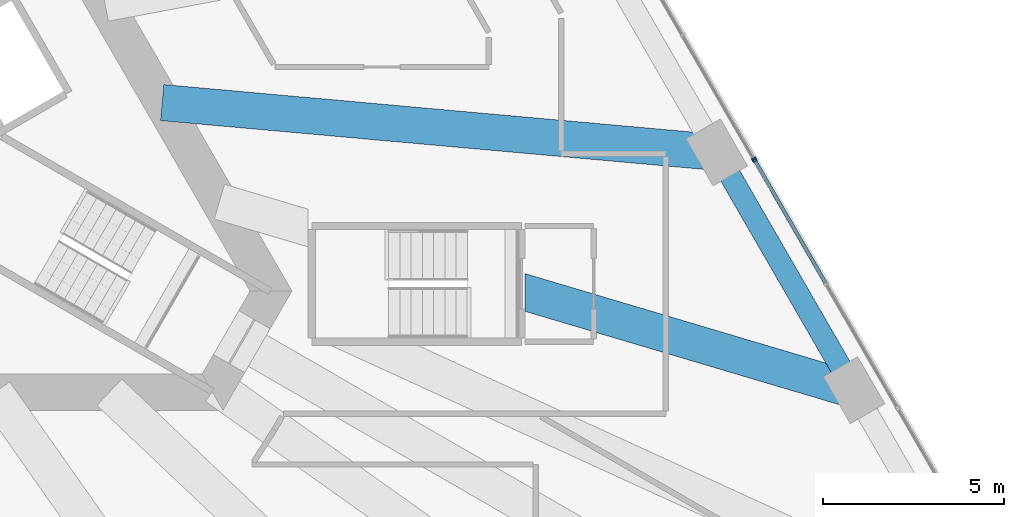
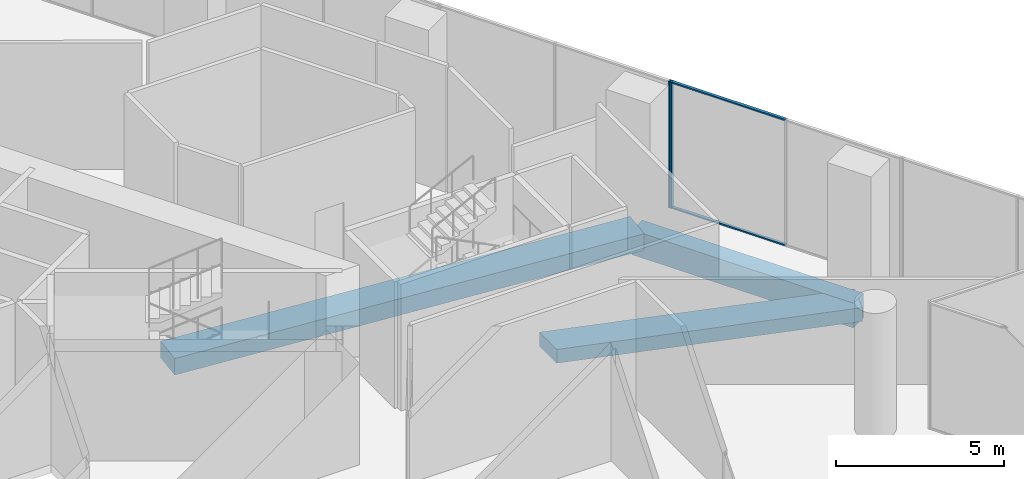
# One storey, part 11 of 32: 4 members, 3 beams, 2 elements without a shape of their own.
"""IFC4 building model written with IfcOpenShell, lengths in metres."""

from ifc_helpers import new_model, si_unit, direction, frame, origin, origin_2d, place, context, subcontext, project, spatial, rectangle, extrude, clip, halfspace, material, layer, layer_set, material_profile, profile_set, type_object, element, aggregate, save


model = new_model("IFC4")

# Units and contexts
model_context = context("Model", 3, precision=1e-05, world=origin(), true_north=direction((0.0, 1.0)))
body_context = subcontext(model_context, "Body", "Model", "MODEL_VIEW")
ifc_project = project(units=[si_unit("LENGTHUNIT", "METRE"), si_unit("AREAUNIT", "SQUARE_METRE"), si_unit("VOLUMEUNIT", "CUBIC_METRE"), si_unit("PLANEANGLEUNIT", "RADIAN"), si_unit("MASSUNIT", "GRAM", prefix="KILO")], contexts=[model_context])

# Site, building, storey
site_placement = place(None, origin())
site = spatial("IfcSite", under=ifc_project, at=site_placement, CompositionType="ELEMENT")
building_placement = place(site_placement, origin())
building = spatial("IfcBuilding", under=site, at=building_placement, Name="Triada Interchange Tower", CompositionType="ELEMENT")
storey_placement = place(building_placement, frame((0.0, 0.0, 25.300048828125)))
storey = spatial("IfcBuildingStorey", under=building, at=storey_placement, Name="L04", CompositionType="ELEMENT", Elevation=25.300048828125)

# Curtain wall, member
ifc_material_1 = material(Name="Aluminium framed glazing", Category="aluminium")
ifc_layer = layer(ifc_material_1, 0.199951171875)
ifc_layer_set = layer_set([ifc_layer], Name="Curtain wall Winter garden glazing")
curtain_wall_type = type_object("IfcCurtainWallType", Name="Curtain wall Winter garden glazing", PredefinedType="NOTDEFINED", material=ifc_layer_set)
curtain_wall_1_placement = place(storey_placement, origin())
curtain_wall_1 = element("IfcCurtainWall", 1, at=curtain_wall_1_placement, inside=storey, type_object=curtain_wall_type, Name="Winter garden glazing CW013 L04", PredefinedType="NOTDEFINED")
ifc_material_2 = material(Name="Aluminium", Category="aluminium")
ifc_material_profile_1 = material_profile(ifc_material_2, rectangle(XDim=0.1201171875, YDim=0.050048828125, at=origin_2d()), Name="Aluminium mullion")
ifc_profile_set_1 = profile_set([ifc_material_profile_1], Name="Aluminium")
member_type_1 = type_object("IfcMemberType", Name="Mullion Winter garden glazing 120x50", PredefinedType="MULLION", material=ifc_profile_set_1)
member_1_placement = place(storey_placement, frame((27.360595703125, -2.588623046875, 0.0), z_axis=(0.0, 0.0, 1.0), x_axis=(-0.866055473648, -0.499947913852, 0.0)))
member_1 = element("IfcMember", 2, at=member_1_placement, type_object=member_type_1, Name="CW013 mullion 3", PredefinedType="MULLION", context=body_context, shape_type="SweptSolid", body=[
    extrude(rectangle(XDim=0.1201171875, YDim=0.050048828125, at=origin_2d()), origin(), (0.0, 0.0, 1.0), 4.599853515625),
])

curtain_wall_2_placement = place(storey_placement, origin())
curtain_wall_2 = element("IfcCurtainWall", 3, at=curtain_wall_2_placement, inside=storey, type_object=curtain_wall_type, Name="Winter garden glazing CW014 L04", PredefinedType="NOTDEFINED")
member_2_placement = place(storey_placement, frame((27.32958984375, -2.536376953125, 0.0), z_axis=(0.0, 0.0, 1.0), x_axis=(-0.866055473648, -0.499947913852, 0.0)))
member_2 = element("IfcMember", 4, at=member_2_placement, type_object=member_type_1, Name="CW014 mullion 1", PredefinedType="MULLION", context=body_context, shape_type="SweptSolid", body=[
    extrude(rectangle(XDim=0.1201171875, YDim=0.050048828125, at=origin_2d()), origin(), (0.0, 0.0, 1.0), 4.599853515625),
])
aggregate(curtain_wall_2, [member_2])

# Beams
ifc_material_3 = material(Name="Concrete C50/60", Category="concrete")
ifc_material_profile_2 = material_profile(ifc_material_3, rectangle(XDim=1.0, YDim=0.5, at=origin_2d()), Name="RC 1000x500")
ifc_profile_set_2 = profile_set([ifc_material_profile_2], Name="Concrete C50/60")
beam_type_1 = type_object("IfcBeamType", Name="Radial band beam P RC 1000x500", PredefinedType="BEAM", material=ifc_profile_set_2)
beam_1_placement = place(storey_placement, frame((30.10498046875, -8.944091796875, -0.650146484375), z_axis=(-0.958593857604, 0.284776783049, 0.0), x_axis=(-0.284776783049, -0.958593857604, 0.0)))
element("IfcBeam", 5, at=beam_1_placement, inside=storey, type_object=beam_type_1, Name="Radial band beam BP22A L04", PredefinedType="BEAM", context=body_context, shape_type="Clipping", body=[
    clip(extrude(rectangle(XDim=1.0, YDim=0.5, at=origin_2d()), origin(), (0.0, 0.0, 1.0), 10.998291015625), halfspace(frame((-1.85888671875, -24.64990234375, 10.050537109375), z_axis=(0.284776783049, 0.0, 0.958593857604), x_axis=(0.0, -1.0, 0.0)), False)),
])
ifc_material_profile_3 = material_profile(ifc_material_3, rectangle(XDim=1.0, YDim=0.60009765625, at=origin_2d()), Name="RC 1000x600")
ifc_profile_set_3 = profile_set([ifc_material_profile_3], Name="Concrete C50/60")
beam_type_2 = type_object("IfcBeamType", Name="Radial band beam P RC 1000x600", PredefinedType="BEAM", material=ifc_profile_set_3)
beam_2_placement = place(storey_placement, frame((26.305908203125, -2.363037109375, -0.699951171875), z_axis=(-0.995992484525, 0.089436965342, 0.0), x_axis=(-0.089436965342, -0.995992484525, 0.0)))
element("IfcBeam", 6, at=beam_2_placement, inside=storey, type_object=beam_type_2, Name="Radial band beam BP23 L04", PredefinedType="BEAM", context=body_context, shape_type="SweptSolid", body=[
    extrude(rectangle(XDim=1.0, YDim=0.60009765625, at=origin_2d()), origin(), (0.0, 0.0, 1.0), 15.40673828125),
])
ifc_material_profile_4 = material_profile(ifc_material_3, rectangle(XDim=0.60009765625, YDim=0.89990234375, at=origin_2d()), Name="RC 600x900")
ifc_profile_set_4 = profile_set([ifc_material_profile_4], Name="Concrete C50/60")
beam_type_3 = type_object("IfcBeamType", Name="Spandrel beam P RC 600x900", PredefinedType="BEAM", material=ifc_profile_set_4)
beam_3_placement = place(storey_placement, frame((30.10498046875, -8.944091796875, -0.85009765625), z_axis=(-0.499950508799, 0.866053975657, 0.0), x_axis=(-0.866053975657, -0.499950508799, 0.0)))
element("IfcBeam", 7, at=beam_3_placement, inside=storey, type_object=beam_type_3, Name="Spandrel beam EP22 L04", PredefinedType="BEAM", context=body_context, shape_type="SweptSolid", body=[
    extrude(rectangle(XDim=0.60009765625, YDim=0.89990234375, at=origin_2d()), origin(), (0.0, 0.0, 1.0), 7.598876953125),
])

# Member
ifc_material_profile_5 = material_profile(ifc_material_2, rectangle(XDim=0.10009765625, YDim=0.050048828125, at=origin_2d()), Name="Aluminium transom")
ifc_profile_set_5 = profile_set([ifc_material_profile_5], Name="Aluminium")
member_type_2 = type_object("IfcMemberType", Name="Transom Winter garden glazing 100x50", PredefinedType="USERDEFINED", material=ifc_profile_set_5)
member_3_placement = place(storey_placement, frame((29.319091796875, -5.9814453125, 0.02490234375), z_axis=(-0.499950487857, 0.866053987747, 0.0), x_axis=(-0.866053987747, -0.499950487857, 0.0)))
member_3 = element("IfcMember", 8, at=member_3_placement, type_object=member_type_2, Name="CW013 transom 2.1", ObjectType="TRANSOM", PredefinedType="USERDEFINED", context=body_context, shape_type="SweptSolid", body=[
    extrude(rectangle(XDim=0.10009765625, YDim=0.050048828125, at=origin_2d()), origin(), (0.0, 0.0, 1.0), 3.892578125),
])

member_4_placement = place(storey_placement, frame((29.319091796875, -5.9814453125, 4.574951171875), z_axis=(-0.499950487857, 0.866053987747, 0.0), x_axis=(-0.866053987747, -0.499950487857, 0.0)))
member_4 = element("IfcMember", 9, at=member_4_placement, type_object=member_type_2, Name="CW013 transom 2.2", ObjectType="TRANSOM", PredefinedType="USERDEFINED", context=body_context, shape_type="SweptSolid", body=[
    extrude(rectangle(XDim=0.10009765625, YDim=0.050048828125, at=origin_2d()), origin(), (0.0, 0.0, 1.0), 3.892578125),
])

aggregate(curtain_wall_1, [member_1, member_3, member_4])

save(model, "model.ifc")
